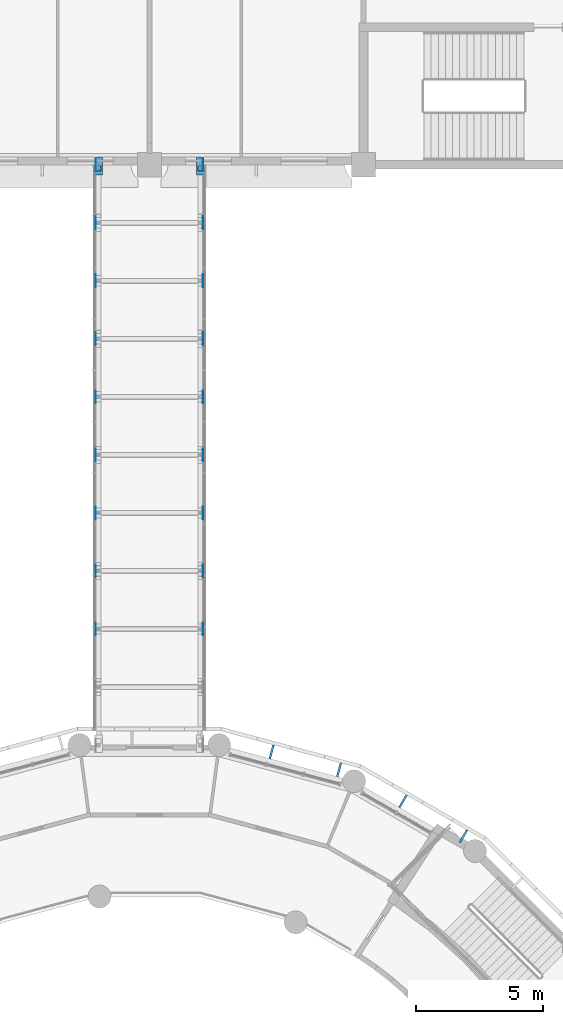
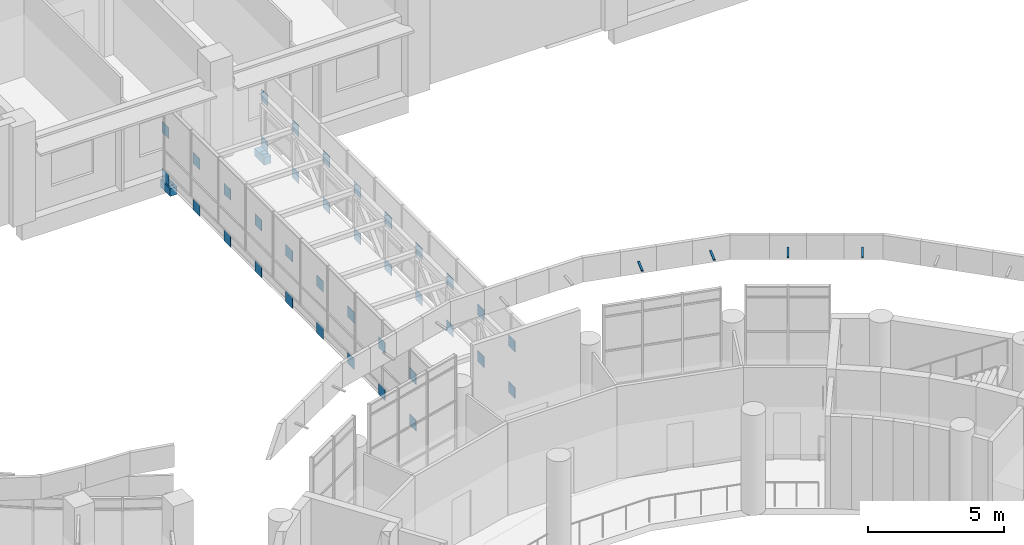
# One storey, part 106 of 136: 44 discrete accessories.
"""IFC4 building model written with IfcOpenShell, lengths in metres."""

from ifc_helpers import new_model, si_unit, direction, frame, origin, origin_2d, place, context, subcontext, project, spatial, rectangle, extrude, material, layer, layer_set, material_profile, profile_set, type_object, element, save


model = new_model("IFC4")

# Units and contexts
model_context = context("Model", 3, precision=1e-05, world=origin(), true_north=direction((0.0, 1.0)))
body_context = subcontext(model_context, "Body", "Model", "MODEL_VIEW")
ifc_project = project(units=[si_unit("LENGTHUNIT", "METRE"), si_unit("AREAUNIT", "SQUARE_METRE"), si_unit("VOLUMEUNIT", "CUBIC_METRE"), si_unit("PLANEANGLEUNIT", "RADIAN"), si_unit("MASSUNIT", "GRAM", prefix="KILO")], contexts=[model_context])

# Site, building, storey
site_placement = place(None, origin())
site = spatial("IfcSite", under=ifc_project, at=site_placement, CompositionType="ELEMENT")
building_placement = place(site_placement, origin())
building = spatial("IfcBuilding", under=site, at=building_placement, Name="Bougainvillea Quay General Hospital", CompositionType="ELEMENT")
storey_placement = place(building_placement, frame((0.0, 0.0, 5.39990234375)))
storey = spatial("IfcBuildingStorey", under=building, at=storey_placement, Name="L01", CompositionType="ELEMENT", Elevation=5.39990234375)

# Discrete accessories
ifc_material_1 = material(Name="Steel Q355", Category="steel")
ifc_layer_1 = layer(ifc_material_1, 0.011962890625)
ifc_layer_set_1 = layer_set([ifc_layer_1], Name="Steel Q355")
discrete_accessory_type_1 = type_object("IfcDiscreteAccessoryType", Name="GUSSET PLATE 500x500x12", PredefinedType="BRACKET", material=ifc_layer_set_1)
for number, where, z_axis, x_axis, name in (
    (1, (107.093994140625, 99.3759765625, -0.619873046875), (0.0, 0.0, 1.0), (0.0, 1.0, 0.0), "Gusset plate"),
    (2, (107.093994140625, 101.654052734375, -0.619873046875), (0.0, 0.0, 1.0), (0.0, 1.0, 0.0), "Gusset plate"),
    (3, (107.093994140625, 103.931884765625, -0.619873046875), (0.0, 0.0, 1.0), (0.0, 1.0, 0.0), "Gusset plate"),
    (4, (107.093994140625, 106.2099609375, -0.619873046875), (0.0, 0.0, 1.0), (0.0, 1.0, 0.0), "Gusset plate"),
    (5, (107.093994140625, 108.488037109375, -0.619873046875), (0.0, 0.0, 1.0), (0.0, 1.0, 0.0), "Gusset plate"),
    (6, (107.093994140625, 110.76611328125, -0.619873046875), (0.0, 0.0, 1.0), (0.0, 1.0, 0.0), "Gusset plate"),
    (7, (107.093994140625, 113.0439453125, -0.619873046875), (0.0, 0.0, 1.0), (0.0, 1.0, 0.0), "Gusset plate"),
    (8, (107.093994140625, 115.322021484375, -0.619873046875), (0.0, 0.0, 1.0), (0.0, 1.0, 0.0), "Gusset plate"),
    (9, (107.093994140625, 117.60009765625, -0.619873046875), (0.0, 0.0, 1.0), (0.0, 1.0, 0.0), "Gusset plate"),
    (10, (107.093994140625, 99.3759765625, 1.47998046875), (0.0, 0.0, 1.0), (0.0, 1.0, 0.0), "Gusset plate"),
    (11, (107.093994140625, 101.654052734375, 1.47998046875), (0.0, 0.0, 1.0), (0.0, 1.0, 0.0), "Gusset plate"),
    (12, (107.093994140625, 103.931884765625, 1.47998046875), (0.0, 0.0, 1.0), (0.0, 1.0, 0.0), "Gusset plate"),
    (13, (107.093994140625, 106.2099609375, 1.47998046875), (0.0, 0.0, 1.0), (0.0, 1.0, 0.0), "Gusset plate"),
    (14, (107.093994140625, 108.488037109375, 1.47998046875), (0.0, 0.0, 1.0), (0.0, 1.0, 0.0), "Gusset plate"),
    (15, (107.093994140625, 110.76611328125, 1.47998046875), (0.0, 0.0, 1.0), (0.0, 1.0, 0.0), "Gusset plate"),
    (16, (107.093994140625, 113.0439453125, 1.47998046875), (0.0, 0.0, 1.0), (0.0, 1.0, 0.0), "Gusset plate"),
    (17, (107.093994140625, 115.322021484375, 1.47998046875), (0.0, 0.0, 1.0), (0.0, 1.0, 0.0), "Gusset plate"),
    (18, (107.093994140625, 117.60009765625, 1.47998046875), (0.0, 0.0, 1.0), (0.0, 1.0, 0.0), "Gusset plate"),
    (19, (111.305908203125, 99.3759765625, -0.619873046875), (0.0, 0.0, 1.0), (0.0, 1.0, 0.0), "Gusset plate"),
    (20, (111.305908203125, 101.654052734375, -0.619873046875), (0.0, 0.0, 1.0), (0.0, 1.0, 0.0), "Gusset plate"),
    (21, (111.305908203125, 103.931884765625, -0.619873046875), (0.0, 0.0, 1.0), (0.0, 1.0, 0.0), "Gusset plate"),
    (22, (111.305908203125, 106.2099609375, -0.619873046875), (0.0, 0.0, 1.0), (0.0, 1.0, 0.0), "Gusset plate"),
    (23, (111.305908203125, 108.488037109375, -0.619873046875), (0.0, 0.0, 1.0), (0.0, 1.0, 0.0), "Gusset plate"),
    (24, (111.305908203125, 110.76611328125, -0.619873046875), (0.0, 0.0, 1.0), (0.0, 1.0, 0.0), "Gusset plate"),
    (25, (111.305908203125, 113.0439453125, -0.619873046875), (0.0, 0.0, 1.0), (0.0, 1.0, 0.0), "Gusset plate"),
    (26, (111.305908203125, 115.322021484375, -0.619873046875), (0.0, 0.0, 1.0), (0.0, 1.0, 0.0), "Gusset plate"),
    (27, (111.305908203125, 117.60009765625, -0.619873046875), (0.0, 0.0, 1.0), (0.0, 1.0, 0.0), "Gusset plate"),
    (28, (111.305908203125, 99.3759765625, 1.47998046875), (0.0, 0.0, 1.0), (0.0, 1.0, 0.0), "Gusset plate"),
    (29, (111.305908203125, 101.654052734375, 1.47998046875), (0.0, 0.0, 1.0), (0.0, 1.0, 0.0), "Gusset plate"),
    (30, (111.305908203125, 103.931884765625, 1.47998046875), (0.0, 0.0, 1.0), (0.0, 1.0, 0.0), "Gusset plate"),
    (31, (111.305908203125, 106.2099609375, 1.47998046875), (0.0, 0.0, 1.0), (0.0, 1.0, 0.0), "Gusset plate"),
    (32, (111.305908203125, 108.488037109375, 1.47998046875), (0.0, 0.0, 1.0), (0.0, 1.0, 0.0), "Gusset plate"),
    (33, (111.305908203125, 110.76611328125, 1.47998046875), (0.0, 0.0, 1.0), (0.0, 1.0, 0.0), "Gusset plate"),
    (34, (111.305908203125, 113.0439453125, 1.47998046875), (0.0, 0.0, 1.0), (0.0, 1.0, 0.0), "Gusset plate"),
    (35, (111.305908203125, 115.322021484375, 1.47998046875), (0.0, 0.0, 1.0), (0.0, 1.0, 0.0), "Gusset plate"),
    (36, (111.305908203125, 117.60009765625, 1.47998046875), (0.0, 0.0, 1.0), (0.0, 1.0, 0.0), "Gusset plate"),
):
    element("IfcDiscreteAccessory", number, at=place(storey_placement, frame(where, z_axis=z_axis, x_axis=x_axis)), inside=storey, type_object=discrete_accessory_type_1, Name=name, PredefinedType="BRACKET", context=body_context, shape_type="SweptSolid", body=[
        extrude(rectangle(XDim=0.5, YDim=0.011962890625, at=origin_2d()), origin(), (0.0, 0.0, 1.0), 0.5),
    ])
ifc_material_2 = material(Name="Concrete C40", Category="concrete")
discrete_accessory_type_2 = type_object("IfcDiscreteAccessoryType", Name="RC SEAT CORBEL 400x300x350", PredefinedType="BRACKET", material=ifc_material_2)
for number, where, z_axis, x_axis, name in (
    (37, (107.199951171875, 117.550048828125, -0.989990234375), (0.0, 0.0, 1.0), (0.0, -1.0, 0.0), "Bridge seat corbel"),
    (38, (111.199951171875, 117.550048828125, -0.989990234375), (0.0, 0.0, 1.0), (0.0, -1.0, 0.0), "Bridge seat corbel"),
):
    element("IfcDiscreteAccessory", number, at=place(storey_placement, frame(where, z_axis=z_axis, x_axis=x_axis)), inside=storey, type_object=discrete_accessory_type_2, Name=name, PredefinedType="BRACKET", context=body_context, shape_type="SweptSolid", body=[
        extrude(rectangle(XDim=0.699951171875, YDim=0.300048828125, at=origin_2d()), origin(), (0.0, 0.0, 1.0), 0.35009765625),
    ])
ifc_material_3 = material(Name="Steel-reinforced elastomeric bearing pad", Category="concrete")
ifc_layer_2 = layer(ifc_material_3, 0.02001953125)
ifc_layer_set_2 = layer_set([ifc_layer_2], Name="Steel-reinforced elastomeric bearing pad")
discrete_accessory_type_3 = type_object("IfcDiscreteAccessoryType", Name="SLIDING BEARING PAD 200x200x20", PredefinedType="SHOE", material=ifc_layer_set_2)
for number, where, z_axis, x_axis, name in (
    (39, (107.199951171875, 117.449951171875, -0.639892578125), (0.0, 0.0, 1.0), (0.0, -1.0, 0.0), "Bridge bearing pad"),
    (40, (111.199951171875, 117.449951171875, -0.639892578125), (0.0, 0.0, 1.0), (0.0, -1.0, 0.0), "Bridge bearing pad"),
):
    element("IfcDiscreteAccessory", number, at=place(storey_placement, frame(where, z_axis=z_axis, x_axis=x_axis)), inside=storey, type_object=discrete_accessory_type_3, Name=name, PredefinedType="SHOE", context=body_context, shape_type="SweptSolid", body=[
        extrude(rectangle(XDim=0.199951171875, YDim=0.199951171875, at=origin_2d()), origin(), (0.0, 0.0, 1.0), 0.02001953125),
    ])
ifc_material_4 = material(Name="Stainless steel bracket, grade 316", Category="steel")
ifc_material_profile = material_profile(ifc_material_4, rectangle(XDim=0.080078125, YDim=0.050048828125, at=origin_2d()))
ifc_profile_set = profile_set([ifc_material_profile], Name="Stainless steel bracket, grade 316")
discrete_accessory_type_4 = type_object("IfcDiscreteAccessoryType", Name="Stainless steel stand-off bracket 80x50", PredefinedType="BRACKET", material=ifc_profile_set)
discrete_accessory_placement = place(storey_placement, frame((121.390380859375, 91.002685546875, 7.14013671875), z_axis=(0.497241294851, 0.860796598273, 0.108537141556), x_axis=(-0.865912065108, 0.500196256984, 0.0)))
element("IfcDiscreteAccessory", 41, at=discrete_accessory_placement, inside=storey, type_object=discrete_accessory_type_4, Name="Fascia bracket e1 15", PredefinedType="BRACKET", context=body_context, shape_type="SweptSolid", body=[
    extrude(rectangle(XDim=0.080078125, YDim=0.050048828125, at=origin_2d()), origin(), (0.0, 0.0, 1.0), 0.553466796875),
])
for number, where, z_axis, x_axis, name in (
    (42, (119.0166015625, 92.373046875, 7.14013671875), (0.496909065825, 0.860985424, 0.108560950438), (-0.866104278045, 0.499863360881, 0.0), "Fascia bracket e1 17"),
    (43, (116.57421875, 93.578369140625, 7.14013671875), (0.257265896735, 0.96022399879, 0.108554735157), (-0.965932200741, 0.258795254151, 0.0), "Fascia bracket e1 19"),
    (44, (113.926513671875, 94.287841796875, 7.14013671875), (0.257677899542, 0.960114913363, 0.108542402889), (-0.965821158526, 0.259209355046, 0.0), "Fascia bracket e1 21"),
):
    element("IfcDiscreteAccessory", number, at=place(storey_placement, frame(where, z_axis=z_axis, x_axis=x_axis)), inside=storey, type_object=discrete_accessory_type_4, Name=name, PredefinedType="BRACKET", context=body_context, shape_type="SweptSolid", body=[
        extrude(rectangle(XDim=0.080078125, YDim=0.050048828125, at=origin_2d()), origin(), (0.0, 0.0, 1.0), 0.55322265625),
    ])

save(model, "model.ifc")
